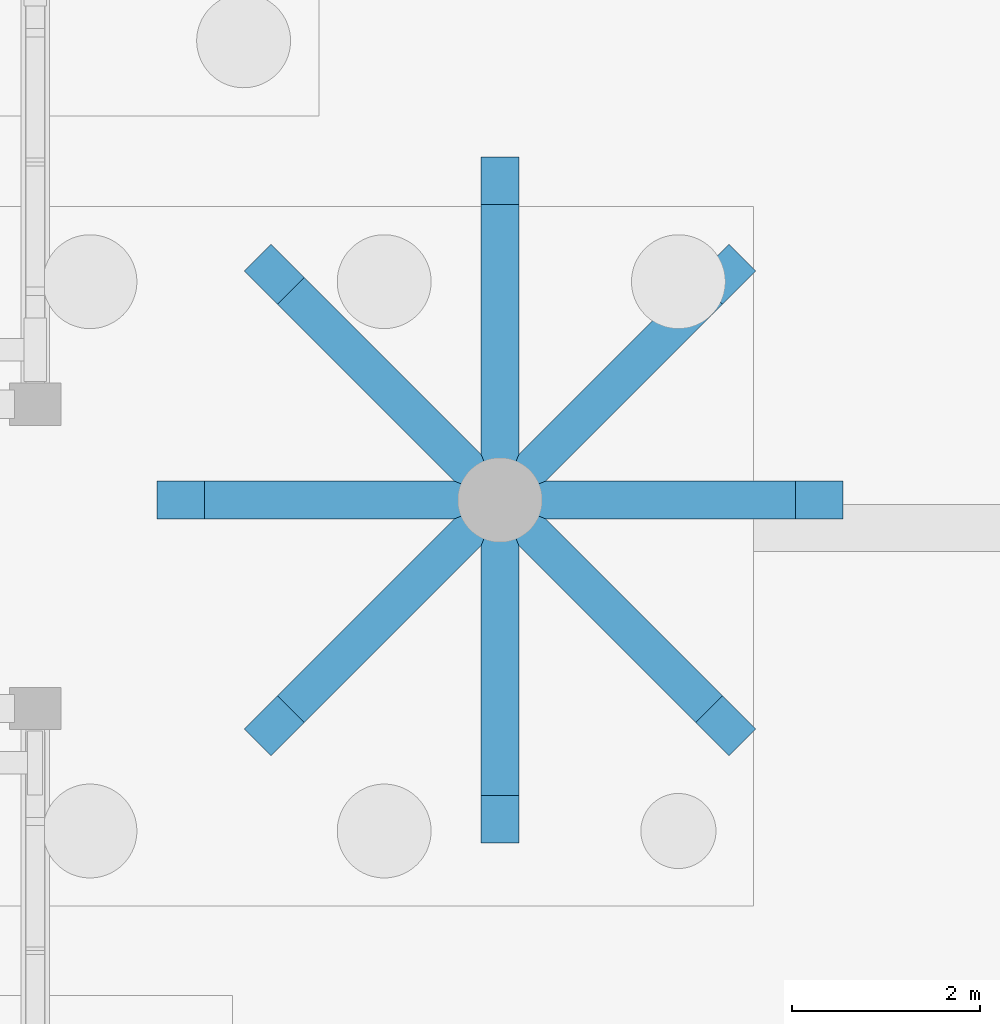
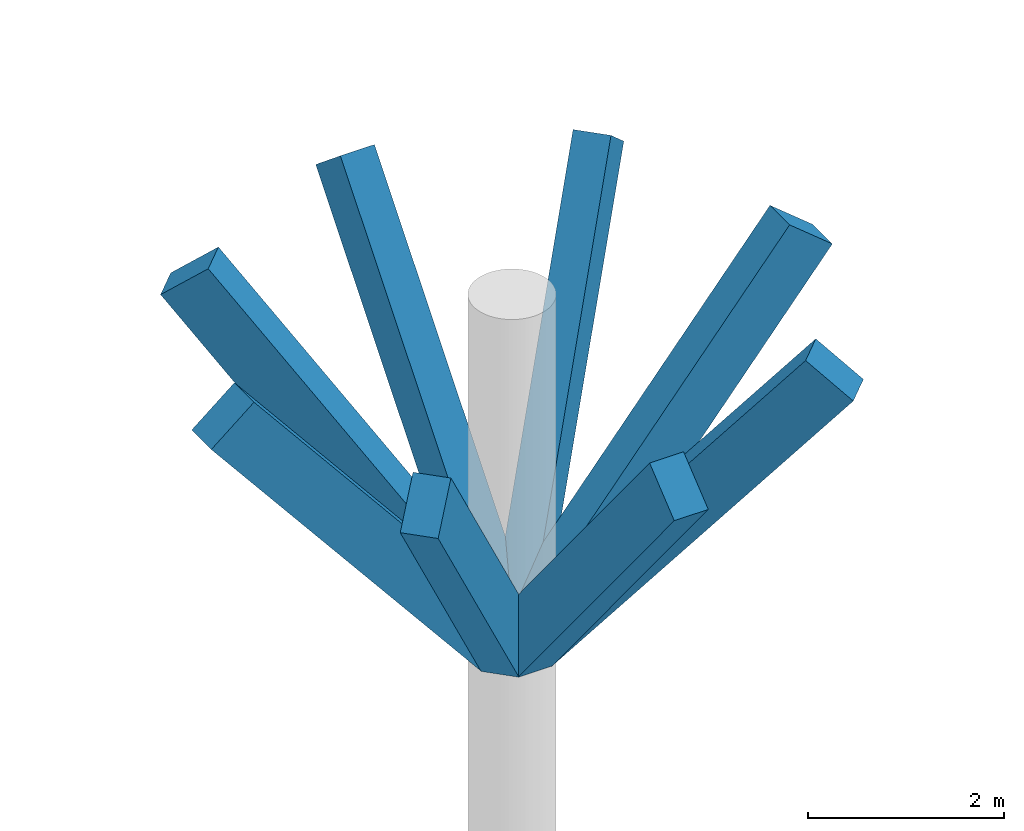
# One storey, part 37 of 98: 8 members.
"""IFC4 building model written with IfcOpenShell, lengths in metres."""

import ifcopenshell
import ifcopenshell.guid

model = None  # the IFC model being written
_history = None  # IfcOwnerHistory: only IFC2X3 demands one
_inside = {}  # id of a spatial element -> (the spatial element, [elements in it])
_under = {}  # id of a project, library or spatial element -> (it, [spatial elements below it])
_declared = {}  # id of a project -> (the project, [libraries it declares])
_typed = {}  # id of a type object -> (the type object, [elements of that type])
_made_of = {}  # id of a material, layer set ... -> (it, [elements and type objects made of it])


def new_model(schema):
    """Start an empty IFC model of exactly this schema.

    Asked for "IFC4X3", IfcOpenShell would pick the latest addendum, in which some entities
    have other attributes; the version numbers below select the first issue.
    IFC2X3 requires an IfcOwnerHistory on every rooted entity: one is made here for all.
    """
    global model, _history
    if schema == "IFC4X3":
        model = ifcopenshell.file(schema_version=(4, 3, 0, 0))
    else:
        model = ifcopenshell.file(schema=schema)
    _inside.clear()
    _under.clear()
    _declared.clear()
    _typed.clear()
    _made_of.clear()
    _history = None
    if model.schema == "IFC2X3":
        org = make("IfcOrganization", Name="unknown")
        user = make(
            "IfcPersonAndOrganization",
            ThePerson=make("IfcPerson", FamilyName="unknown"),
            TheOrganization=org,
        )
        app = make(
            "IfcApplication",
            ApplicationDeveloper=org,
            Version="unknown",
            ApplicationFullName="unknown",
            ApplicationIdentifier="unknown",
        )
        _history = make(
            "IfcOwnerHistory",
            OwningUser=user,
            OwningApplication=app,
            ChangeAction="ADDED",
            CreationDate=0,
        )
    return model


def make(cls, **values):
    """One entity of the class cls with the attributes given. An attribute that is None is left unset."""
    return model.create_entity(
        cls, **{name: value for name, value in values.items() if value is not None}
    )


def rooted(cls, **values):
    """An entity with a GlobalId (a new one), such as an element, a storey or a relation."""
    return make(cls, GlobalId=ifcopenshell.guid.new(), OwnerHistory=_history, **values)


def si_unit(unit_type, name, prefix=None):
    """IfcSIUnit, for example si_unit("LENGTHUNIT", "METRE", prefix="MILLI")."""
    return make("IfcSIUnit", UnitType=unit_type, Prefix=prefix, Name=name)


def assignment(units):
    """IfcUnitAssignment: the units of a project."""
    return None if units is None else make("IfcUnitAssignment", Units=units)


def point(xyz):
    """IfcCartesianPoint."""
    return None if xyz is None else make("IfcCartesianPoint", Coordinates=xyz)


def direction(xyz):
    """IfcDirection."""
    return None if xyz is None else make("IfcDirection", DirectionRatios=xyz)


def frame(location, z_axis=None, x_axis=None):
    """IfcAxis2Placement3D, a coordinate frame: its origin and axes. An axis left out is left unset."""
    return make(
        "IfcAxis2Placement3D",
        Location=point(location),
        Axis=direction(z_axis),
        RefDirection=direction(x_axis),
    )


def frame_2d(location, x_axis=None):
    """IfcAxis2Placement2D, a coordinate frame in the plane: its origin and x axis."""
    return make(
        "IfcAxis2Placement2D", Location=point(location), RefDirection=direction(x_axis)
    )


def origin():
    """The frame at (0, 0, 0) with its axes left unset."""
    return frame((0.0, 0.0, 0.0))


def origin_2d():
    """The frame at (0, 0) in the plane with its x axis left unset."""
    return frame_2d((0.0, 0.0))


def place(relative_to, where):
    """IfcLocalPlacement: puts the frame where relative to a parent placement (None: the world)."""
    return make(
        "IfcLocalPlacement", PlacementRelTo=relative_to, RelativePlacement=where
    )


def context(
    kind, dimensions, precision=None, world=None, true_north=None, identifier=None
):
    """IfcGeometricRepresentationContext, for example the 3D "Model" context."""
    return make(
        "IfcGeometricRepresentationContext",
        ContextIdentifier=identifier,
        ContextType=kind,
        CoordinateSpaceDimension=dimensions,
        Precision=precision,
        WorldCoordinateSystem=world,
        TrueNorth=true_north,
    )


def subcontext(parent, identifier, kind, view, scale=None):
    """IfcGeometricRepresentationSubContext, for example "Body" below "Model"."""
    return make(
        "IfcGeometricRepresentationSubContext",
        ContextIdentifier=identifier,
        ContextType=kind,
        ParentContext=parent,
        TargetScale=scale,
        TargetView=view,
    )


def project(units=None, contexts=None):
    """IfcProject with its units and contexts."""
    return rooted(
        "IfcProject",
        Name="project",
        RepresentationContexts=contexts,
        UnitsInContext=assignment(units),
    )


def spatial(cls, under=None, at=None, **own):
    """A site, building, storey or space (cls), placed at a placement, below another one or the project."""
    s = rooted(cls, ObjectPlacement=at, **own)
    if under is not None:
        _under.setdefault(under.id(), (under, []))[1].append(s)
    return s


def profile(cls, at=None, kind="AREA", **sizes):
    """A parametric profile (cls). Its sizes go by their IFC names, for example OverallWidth=200.0."""
    return make(cls, ProfileType=kind, Position=at, **sizes)


def rectangle(**sizes):
    """IfcRectangleProfileDef."""
    return profile("IfcRectangleProfileDef", **sizes)


def extrude(swept, where, along, depth):
    """IfcExtrudedAreaSolid: the profile swept, set in the frame where, extruded along a direction by depth."""
    return make(
        "IfcExtrudedAreaSolid",
        SweptArea=swept,
        Position=where,
        ExtrudedDirection=direction(along),
        Depth=depth,
    )


def shape(context_of_items, identifier, shape_type, items):
    """IfcShapeRepresentation: the items that make up one representation, for example the "Body"."""
    return make(
        "IfcShapeRepresentation",
        ContextOfItems=context_of_items,
        RepresentationIdentifier=identifier,
        RepresentationType=shape_type,
        Items=items,
    )


def material(Name=None, Category=None):
    """IfcMaterial."""
    return make("IfcMaterial", Name=Name, Category=Category)


def material_profile(
    of_material, cross_section, Name=None, Category=None, Priority=None
):
    """IfcMaterialProfile: a cross section and its material."""
    return make(
        "IfcMaterialProfile",
        Name=Name,
        Material=of_material,
        Profile=cross_section,
        Priority=Priority,
        Category=Category,
    )


def profile_set(profiles, Name=None, composite=None):
    """IfcMaterialProfileSet."""
    return make(
        "IfcMaterialProfileSet",
        Name=Name,
        MaterialProfiles=profiles,
        CompositeProfile=composite,
    )


def made_of(thing, what):
    """Note that an element or type object is made of a material, layer set ...; save() writes the relation."""
    if what is not None:
        _made_of.setdefault(what.id(), (what, []))[1].append(thing)
    return thing


def type_object(cls, material=None, **own):
    """A type object (cls), such as IfcWallType, which elements share."""
    return made_of(rooted(cls, **own), material)


def element(
    cls,
    number,
    at=None,
    inside=None,
    cuts=None,
    type_object=None,
    material=None,
    context=None,
    identifier="Body",
    shape_type=None,
    held_by="IfcProductDefinitionShape",
    body=None,
    shapes=None,
    **own,
):
    """One element of the class cls, such as IfcWall. Its Tag is "e" and its number.

    at: its placement. inside: the storey or other place that contains it. cuts: it is an
    opening in that element (IfcRelVoidsElement). A single representation is given by context,
    identifier, shape_type and body (its items); several are given by shapes. held_by: the class
    of the entity that holds the representations. save() writes the other relations.
    """
    e = rooted(cls, Tag="e%d" % number, ObjectPlacement=at, **own)
    if body is not None:
        shapes = [shape(context, identifier, shape_type, body)]
    if shapes is not None:
        e.Representation = make(held_by, Representations=shapes)
    if inside is not None:
        _inside.setdefault(inside.id(), (inside, []))[1].append(e)
    if cuts is not None:
        rooted(
            "IfcRelVoidsElement", RelatingBuildingElement=cuts, RelatedOpeningElement=e
        )
    if type_object is not None:
        _typed.setdefault(type_object.id(), (type_object, []))[1].append(e)
    return made_of(e, material)


def aggregate(whole, parts):
    """IfcRelAggregates: a whole, such as a stair, and the parts it consists of."""
    return rooted("IfcRelAggregates", RelatingObject=whole, RelatedObjects=parts)


def save(model, path):
    """Write the relations noted so far, then the file.

    IfcRelAggregates (storeys below a building ...), IfcRelContainedInSpatialStructure (elements
    in a storey), IfcRelDefinesByType, IfcRelAssociatesMaterial and IfcRelDeclares: one each for
    every whole, place, type object, material and project.
    """
    for whole, parts in _under.values():
        aggregate(whole, parts)
    for where, things in _inside.values():
        rooted(
            "IfcRelContainedInSpatialStructure",
            RelatedElements=things,
            RelatingStructure=where,
        )
    for kind, things in _typed.values():
        rooted("IfcRelDefinesByType", RelatedObjects=things, RelatingType=kind)
    for what, things in _made_of.values():
        rooted("IfcRelAssociatesMaterial", RelatedObjects=things, RelatingMaterial=what)
    for by, libraries in _declared.values():
        rooted("IfcRelDeclares", RelatingContext=by, RelatedDefinitions=libraries)
    model.write(path)


model = new_model("IFC4")

# Units and contexts
model_context = context("Model", 3, precision=1e-05, world=origin(), true_north=direction((0.0, 1.0)))
body_context = subcontext(model_context, "Body", "Model", "MODEL_VIEW")
ifc_project = project(units=[si_unit("LENGTHUNIT", "METRE"), si_unit("AREAUNIT", "SQUARE_METRE"), si_unit("VOLUMEUNIT", "CUBIC_METRE"), si_unit("PLANEANGLEUNIT", "RADIAN"), si_unit("MASSUNIT", "GRAM", prefix="KILO")], contexts=[model_context])

# Site, building, storey
site_placement = place(None, origin())
site = spatial("IfcSite", under=ifc_project, at=site_placement, CompositionType="ELEMENT")
building_placement = place(site_placement, origin())
building = spatial("IfcBuilding", under=site, at=building_placement, Name="Xazarin Passage Department Store", CompositionType="ELEMENT")
storey_placement = place(building_placement, origin())
storey = spatial("IfcBuildingStorey", under=building, at=storey_placement, Name="L00", CompositionType="ELEMENT", Elevation=0.0)

# Members
ifc_material = material(Name="Concrete C40/50", Category="concrete")
ifc_material_profile = material_profile(ifc_material, rectangle(XDim=0.39990234375, YDim=0.64990234375, at=origin_2d()), Name="RC 400x650")
ifc_profile_set = profile_set([ifc_material_profile], Name="Concrete C40/50")
member_type = type_object("IfcMemberType", Name="STR-MEM-UMB400", PredefinedType="BRACE", material=ifc_profile_set)
for number, where, z_axis, x_axis, name in (
    (1, (56.6201171875, 102.199951171875, 21.97998046875), (0.634369600905, 0.0, 0.773029889103), (0.0, 1.0, 0.0), "Umbrella UM1 Flared Sculptural Capital Strut E"),
    (2, (56.179931640625, 102.199951171875, 21.97998046875), (-0.634369600905, 0.0, 0.773029889103), (0.0, -1.0, 0.0), "Umbrella UM1 Flared Sculptural Capital Strut W"),
):
    element("IfcMember", number, at=place(storey_placement, frame(where, z_axis=z_axis, x_axis=x_axis)), inside=storey, type_object=member_type, Name=name, PredefinedType="BRACE", context=body_context, shape_type="SweptSolid", body=[
        extrude(rectangle(XDim=0.39990234375, YDim=0.64990234375, at=origin_2d()), origin(), (0.0, 0.0, 1.0), 5.0126953125),
    ])
member_placement = place(storey_placement, frame((56.39990234375, 102.419921875, 21.97998046875), z_axis=(0.0, 0.63439870386, 0.773006005501), x_axis=(-1.0, 0.0, 0.0)))
element("IfcMember", 3, at=member_placement, inside=storey, type_object=member_type, Name="Umbrella UM1 Flared Sculptural Capital Strut N", PredefinedType="BRACE", context=body_context, shape_type="SweptSolid", body=[
    extrude(rectangle(XDim=0.39990234375, YDim=0.64990234375, at=origin_2d()), origin(), (0.0, 0.0, 1.0), 5.012939453125),
])
for number, where, z_axis, x_axis, name in (
    (4, (56.39990234375, 101.97998046875, 21.97998046875), (0.0, -0.634369600905, 0.773029889103), (1.0, 0.0, 0.0), "Umbrella UM1 Flared Sculptural Capital Strut S"),
    (5, (56.5556640625, 102.355712890625, 21.97998046875), (0.448565130781, 0.448565130781, 0.77303211246), (-0.707106781187, 0.707106781187, 0.0), "Umbrella UM1 Flared Sculptural Capital Strut NE"),
    (6, (56.244384765625, 102.355712890625, 21.97998046875), (-0.448565130781, 0.448565130781, 0.77303211246), (-0.707106781187, -0.707106781187, 0.0), "Umbrella UM1 Flared Sculptural Capital Strut NW"),
    (7, (56.5556640625, 102.04443359375, 21.97998046875), (0.448565130781, -0.448565130781, 0.77303211246), (0.707106781187, 0.707106781187, 0.0), "Umbrella UM1 Flared Sculptural Capital Strut SE"),
    (8, (56.244384765625, 102.04443359375, 21.97998046875), (-0.448565130781, -0.448565130781, 0.77303211246), (0.707106781187, -0.707106781187, 0.0), "Umbrella UM1 Flared Sculptural Capital Strut SW"),
):
    element("IfcMember", number, at=place(storey_placement, frame(where, z_axis=z_axis, x_axis=x_axis)), inside=storey, type_object=member_type, Name=name, PredefinedType="BRACE", context=body_context, shape_type="SweptSolid", body=[
        extrude(rectangle(XDim=0.39990234375, YDim=0.64990234375, at=origin_2d()), origin(), (0.0, 0.0, 1.0), 5.0126953125),
    ])

save(model, "model.ifc")
